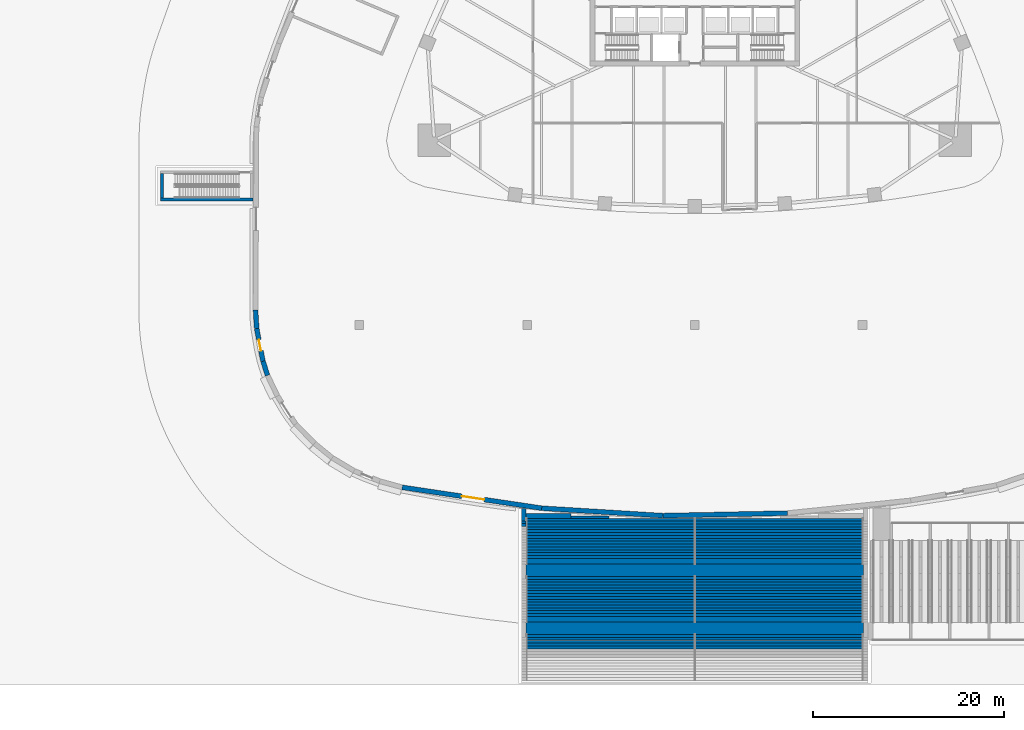
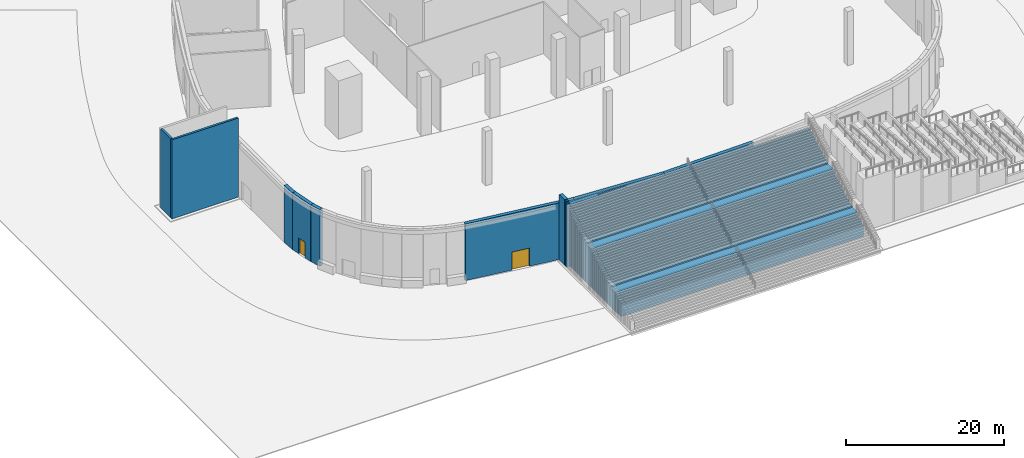
# One storey, part 5 of 29: 50 walls, 2 doors, 2 openings.
"""IFC4 building model written with IfcOpenShell, lengths in metres."""

from ifc_helpers import new_model, si_unit, direction, frame, frame_2d, origin, place, context, subcontext, project, spatial, rectangle, extrude, material, layer, layer_set, type_object, element, fill, save


model = new_model("IFC4")

# Units and contexts
model_context = context("Model", 3, precision=1e-05, world=origin(), true_north=direction((0.0, 1.0)))
body_context = subcontext(model_context, "Body", "Model", "MODEL_VIEW")
ifc_project = project(units=[si_unit("LENGTHUNIT", "METRE"), si_unit("AREAUNIT", "SQUARE_METRE"), si_unit("VOLUMEUNIT", "CUBIC_METRE"), si_unit("PLANEANGLEUNIT", "RADIAN"), si_unit("MASSUNIT", "GRAM", prefix="KILO")], contexts=[model_context])

# Site, building, storey
site_placement = place(None, origin())
site = spatial("IfcSite", under=ifc_project, at=site_placement, CompositionType="ELEMENT")
building_placement = place(site_placement, origin())
building = spatial("IfcBuilding", under=site, at=building_placement, Name="Sierra Prisma Convention Tower", CompositionType="ELEMENT")
storey_placement = place(building_placement, origin())
storey = spatial("IfcBuildingStorey", under=building, at=storey_placement, Name="L00", CompositionType="ELEMENT", Elevation=0.0)

# Walls
ifc_material_1 = material(Name="Concrete C35/45", Category="concrete")
ifc_layer_1 = layer(ifc_material_1, 0.300048828125)
ifc_layer_set_1 = layer_set([ifc_layer_1], Name="Exit stair enclosure wall 300")
wall_type_1 = type_object("IfcWallType", Name="Exit stair enclosure wall 300", PredefinedType="STANDARD", material=ifc_layer_set_1)
wall_1_placement = place(storey_placement, frame((-46.3544921875, -22.02490234375, 0.0), z_axis=(0.0, 0.0, 1.0), x_axis=(-1.0, 0.0, 0.0)))
element("IfcWall", 1, at=wall_1_placement, inside=storey, type_object=wall_type_1, Name="Exit stair west south wall", PredefinedType="STANDARD", context=body_context, shape_type="SweptSolid", body=[
    extrude(rectangle(XDim=9.72021484375, YDim=0.300048828125, at=frame_2d((4.860107421875, 0.0))), origin(), (0.0, 0.0, 1.0), 12.199951171875),
])
wall_2_placement = place(storey_placement, frame((-55.924560546875, -21.875, 0.0), z_axis=(0.0, 0.0, 1.0), x_axis=(0.0, 1.0, 0.0)))
element("IfcWall", 2, at=wall_2_placement, inside=storey, type_object=wall_type_1, Name="Exit stair west far wall", PredefinedType="STANDARD", context=body_context, shape_type="SweptSolid", body=[
    extrude(rectangle(XDim=2.550048828125, YDim=0.300048828125, at=frame_2d((1.27490234375, 0.0))), origin(), (0.0, 0.0, 1.0), 12.199951171875),
])
ifc_material_2 = material(Name="Concrete C30/37", Category="concrete")
ifc_layer_2 = layer(ifc_material_2, 1.300048828125)
ifc_layer_set_2 = layer_set([ifc_layer_2], Name="Garden steps base wall 1300")
wall_type_2 = type_object("IfcWallType", Name="Garden steps base wall 1300", PredefinedType="STANDARD", material=ifc_layer_set_2)
wall_3_placement = place(storey_placement, frame((-17.699951171875, -67.040283203125, 0.0), z_axis=(0.0, 0.0, 1.0), x_axis=(1.0, 0.0, 0.0)))
element("IfcWall", 3, at=wall_3_placement, inside=storey, type_object=wall_type_2, Name="Garden steps base wall 1", PredefinedType="STANDARD", context=body_context, shape_type="SweptSolid", body=[
    extrude(rectangle(XDim=35.39990234375, YDim=1.300048828125, at=frame_2d((17.699951171875, 0.0))), origin(), (0.0, 0.0, 1.0), 2.800048828125),
])
wall_4_placement = place(storey_placement, frame((-17.699951171875, -60.940185546875, 0.0), z_axis=(0.0, 0.0, 1.0), x_axis=(1.0, 0.0, 0.0)))
element("IfcWall", 4, at=wall_4_placement, inside=storey, type_object=wall_type_2, Name="Garden steps base wall 2", PredefinedType="STANDARD", context=body_context, shape_type="SweptSolid", body=[
    extrude(rectangle(XDim=35.39990234375, YDim=1.300048828125, at=frame_2d((17.699951171875, 0.0))), origin(), (0.0, 0.0, 1.0), 5.800048828125),
])
ifc_material_3 = material(Name="Concrete C35/45, rose plaster finish", Category="concrete")
ifc_layer_3 = layer(ifc_material_3, 0.5)
ifc_layer_set_3 = layer_set([ifc_layer_3], Name="Garden steps cheek wall 500")
wall_type_3 = type_object("IfcWallType", Name="Garden steps cheek wall 500", PredefinedType="STANDARD", material=ifc_layer_set_3)
wall_5_placement = place(storey_placement, frame((-17.949951171875, -56.33740234375, 0.0), z_axis=(0.0, 0.0, 1.0), x_axis=(0.0, 1.0, 0.0)))
element("IfcWall", 5, at=wall_5_placement, inside=storey, type_object=wall_type_3, Name="Garden steps cheek wall west 48", PredefinedType="STANDARD", context=body_context, shape_type="SweptSolid", body=[
    extrude(rectangle(XDim=0.282470703125, YDim=0.5, at=frame_2d((0.14111328125, 0.0))), origin(), (0.0, 0.0, 1.0), 9.767822265625),
])
wall_6_placement = place(storey_placement, frame((-17.949951171875, -56.054931640625, 0.0), z_axis=(0.0, 0.0, 1.0), x_axis=(0.0, 1.0, 0.0)))
element("IfcWall", 6, at=wall_6_placement, inside=storey, type_object=wall_type_3, Name="Garden steps cheek wall west 49", PredefinedType="STANDARD", context=body_context, shape_type="SweptSolid", body=[
    extrude(rectangle(XDim=0.2822265625, YDim=0.5, at=frame_2d((0.14111328125, 0.0))), origin(), (0.0, 0.0, 1.0), 9.933837890625),
])
wall_7_placement = place(storey_placement, frame((-17.949951171875, -55.772705078125, 0.0), z_axis=(0.0, 0.0, 1.0), x_axis=(0.0, 1.0, 0.0)))
element("IfcWall", 7, at=wall_7_placement, inside=storey, type_object=wall_type_3, Name="Garden steps cheek wall west 50", PredefinedType="STANDARD", context=body_context, shape_type="SweptSolid", body=[
    extrude(rectangle(XDim=1.306396484375, YDim=0.5, at=frame_2d((0.6533203125, 0.0))), origin(), (0.0, 0.0, 1.0), 10.10009765625),
])
ifc_material_4 = material(Name="Concrete C30/37", Category="concrete")
ifc_layer_4 = layer(ifc_material_4, 0.300048828125)
ifc_layer_set_4 = layer_set([ifc_layer_4], Name="Garden steps fill wall 300")
wall_type_4 = type_object("IfcWallType", Name="Garden steps fill wall 300", PredefinedType="STANDARD", material=ifc_layer_set_4)
wall_8_placement = place(storey_placement, frame((-17.699951171875, -69.04150390625, 0.0), z_axis=(0.0, 0.0, 1.0), x_axis=(1.0, 0.0, 0.0)))
element("IfcWall", 8, at=wall_8_placement, inside=storey, type_object=wall_type_4, Name="Garden steps fill wall 1 10", PredefinedType="STANDARD", context=body_context, shape_type="SweptSolid", body=[
    extrude(rectangle(XDim=35.39990234375, YDim=0.300048828125, at=frame_2d((17.699951171875, 0.0))), origin(), (0.0, 0.0, 1.0), 1.766357421875),
])
wall_9_placement = place(storey_placement, frame((-17.699951171875, -68.7412109375, 0.0), z_axis=(0.0, 0.0, 1.0), x_axis=(1.0, 0.0, 0.0)))
element("IfcWall", 9, at=wall_9_placement, inside=storey, type_object=wall_type_4, Name="Garden steps fill wall 1 11", PredefinedType="STANDARD", context=body_context, shape_type="SweptSolid", body=[
    extrude(rectangle(XDim=35.39990234375, YDim=0.300048828125, at=frame_2d((17.699951171875, 0.0))), origin(), (0.0, 0.0, 1.0), 1.943115234375),
])
wall_10_placement = place(storey_placement, frame((-17.699951171875, -68.44091796875, 0.0), z_axis=(0.0, 0.0, 1.0), x_axis=(1.0, 0.0, 0.0)))
element("IfcWall", 10, at=wall_10_placement, inside=storey, type_object=wall_type_4, Name="Garden steps fill wall 1 12", PredefinedType="STANDARD", context=body_context, shape_type="SweptSolid", body=[
    extrude(rectangle(XDim=35.39990234375, YDim=0.300048828125, at=frame_2d((17.699951171875, 0.0))), origin(), (0.0, 0.0, 1.0), 2.11962890625),
])
wall_11_placement = place(storey_placement, frame((-17.699951171875, -68.140625, 0.0), z_axis=(0.0, 0.0, 1.0), x_axis=(1.0, 0.0, 0.0)))
element("IfcWall", 11, at=wall_11_placement, inside=storey, type_object=wall_type_4, Name="Garden steps fill wall 1 13", PredefinedType="STANDARD", context=body_context, shape_type="SweptSolid", body=[
    extrude(rectangle(XDim=35.39990234375, YDim=0.300048828125, at=frame_2d((17.699951171875, 0.0))), origin(), (0.0, 0.0, 1.0), 2.296142578125),
])
wall_12_placement = place(storey_placement, frame((-17.699951171875, -67.84033203125, 0.0), z_axis=(0.0, 0.0, 1.0), x_axis=(1.0, 0.0, 0.0)))
element("IfcWall", 12, at=wall_12_placement, inside=storey, type_object=wall_type_4, Name="Garden steps fill wall 1 14", PredefinedType="STANDARD", context=body_context, shape_type="SweptSolid", body=[
    extrude(rectangle(XDim=35.39990234375, YDim=0.300048828125, at=frame_2d((17.699951171875, 0.0))), origin(), (0.0, 0.0, 1.0), 2.472900390625),
])
wall_13_placement = place(storey_placement, frame((-17.699951171875, -65.64404296875, 0.0), z_axis=(0.0, 0.0, 1.0), x_axis=(1.0, 0.0, 0.0)))
element("IfcWall", 13, at=wall_13_placement, inside=storey, type_object=wall_type_4, Name="Garden steps fill wall 2 2", PredefinedType="STANDARD", context=body_context, shape_type="SweptSolid", body=[
    extrude(rectangle(XDim=35.39990234375, YDim=0.300048828125, at=frame_2d((17.699951171875, 0.0))), origin(), (0.0, 0.0, 1.0), 3.176513671875),
])
wall_14_placement = place(storey_placement, frame((-17.699951171875, -65.34375, 0.0), z_axis=(0.0, 0.0, 1.0), x_axis=(1.0, 0.0, 0.0)))
element("IfcWall", 14, at=wall_14_placement, inside=storey, type_object=wall_type_4, Name="Garden steps fill wall 2 3", PredefinedType="STANDARD", context=body_context, shape_type="SweptSolid", body=[
    extrude(rectangle(XDim=35.39990234375, YDim=0.300048828125, at=frame_2d((17.699951171875, 0.0))), origin(), (0.0, 0.0, 1.0), 3.353271484375),
])
wall_15_placement = place(storey_placement, frame((-17.699951171875, -65.04345703125, 0.0), z_axis=(0.0, 0.0, 1.0), x_axis=(1.0, 0.0, 0.0)))
element("IfcWall", 15, at=wall_15_placement, inside=storey, type_object=wall_type_4, Name="Garden steps fill wall 2 4", PredefinedType="STANDARD", context=body_context, shape_type="SweptSolid", body=[
    extrude(rectangle(XDim=35.39990234375, YDim=0.300048828125, at=frame_2d((17.699951171875, 0.0))), origin(), (0.0, 0.0, 1.0), 3.52978515625),
])
wall_16_placement = place(storey_placement, frame((-17.699951171875, -64.7431640625, 0.0), z_axis=(0.0, 0.0, 1.0), x_axis=(1.0, 0.0, 0.0)))
element("IfcWall", 16, at=wall_16_placement, inside=storey, type_object=wall_type_4, Name="Garden steps fill wall 2 5", PredefinedType="STANDARD", context=body_context, shape_type="SweptSolid", body=[
    extrude(rectangle(XDim=35.39990234375, YDim=0.300048828125, at=frame_2d((17.699951171875, 0.0))), origin(), (0.0, 0.0, 1.0), 3.70654296875),
])
wall_17_placement = place(storey_placement, frame((-17.699951171875, -64.44287109375, 0.0), z_axis=(0.0, 0.0, 1.0), x_axis=(1.0, 0.0, 0.0)))
element("IfcWall", 17, at=wall_17_placement, inside=storey, type_object=wall_type_4, Name="Garden steps fill wall 2 6", PredefinedType="STANDARD", context=body_context, shape_type="SweptSolid", body=[
    extrude(rectangle(XDim=35.39990234375, YDim=0.300048828125, at=frame_2d((17.699951171875, 0.0))), origin(), (0.0, 0.0, 1.0), 3.88330078125),
])
wall_18_placement = place(storey_placement, frame((-17.699951171875, -64.142578125, 0.0), z_axis=(0.0, 0.0, 1.0), x_axis=(1.0, 0.0, 0.0)))
element("IfcWall", 18, at=wall_18_placement, inside=storey, type_object=wall_type_4, Name="Garden steps fill wall 2 7", PredefinedType="STANDARD", context=body_context, shape_type="SweptSolid", body=[
    extrude(rectangle(XDim=35.39990234375, YDim=0.300048828125, at=frame_2d((17.699951171875, 0.0))), origin(), (0.0, 0.0, 1.0), 4.059814453125),
])
wall_19_placement = place(storey_placement, frame((-17.699951171875, -63.84228515625, 0.0), z_axis=(0.0, 0.0, 1.0), x_axis=(1.0, 0.0, 0.0)))
element("IfcWall", 19, at=wall_19_placement, inside=storey, type_object=wall_type_4, Name="Garden steps fill wall 2 8", PredefinedType="STANDARD", context=body_context, shape_type="SweptSolid", body=[
    extrude(rectangle(XDim=35.39990234375, YDim=0.300048828125, at=frame_2d((17.699951171875, 0.0))), origin(), (0.0, 0.0, 1.0), 4.236328125),
])
wall_20_placement = place(storey_placement, frame((-17.699951171875, -63.5419921875, 0.0), z_axis=(0.0, 0.0, 1.0), x_axis=(1.0, 0.0, 0.0)))
element("IfcWall", 20, at=wall_20_placement, inside=storey, type_object=wall_type_4, Name="Garden steps fill wall 2 9", PredefinedType="STANDARD", context=body_context, shape_type="SweptSolid", body=[
    extrude(rectangle(XDim=35.39990234375, YDim=0.300048828125, at=frame_2d((17.699951171875, 0.0))), origin(), (0.0, 0.0, 1.0), 4.4130859375),
])
wall_21_placement = place(storey_placement, frame((-17.699951171875, -63.24169921875, 0.0), z_axis=(0.0, 0.0, 1.0), x_axis=(1.0, 0.0, 0.0)))
element("IfcWall", 21, at=wall_21_placement, inside=storey, type_object=wall_type_4, Name="Garden steps fill wall 2 10", PredefinedType="STANDARD", context=body_context, shape_type="SweptSolid", body=[
    extrude(rectangle(XDim=35.39990234375, YDim=0.300048828125, at=frame_2d((17.699951171875, 0.0))), origin(), (0.0, 0.0, 1.0), 4.589599609375),
])
wall_22_placement = place(storey_placement, frame((-17.699951171875, -62.94140625, 0.0), z_axis=(0.0, 0.0, 1.0), x_axis=(1.0, 0.0, 0.0)))
element("IfcWall", 22, at=wall_22_placement, inside=storey, type_object=wall_type_4, Name="Garden steps fill wall 2 11", PredefinedType="STANDARD", context=body_context, shape_type="SweptSolid", body=[
    extrude(rectangle(XDim=35.39990234375, YDim=0.300048828125, at=frame_2d((17.699951171875, 0.0))), origin(), (0.0, 0.0, 1.0), 4.766357421875),
])
wall_23_placement = place(storey_placement, frame((-17.699951171875, -62.64111328125, 0.0), z_axis=(0.0, 0.0, 1.0), x_axis=(1.0, 0.0, 0.0)))
element("IfcWall", 23, at=wall_23_placement, inside=storey, type_object=wall_type_4, Name="Garden steps fill wall 2 12", PredefinedType="STANDARD", context=body_context, shape_type="SweptSolid", body=[
    extrude(rectangle(XDim=35.39990234375, YDim=0.300048828125, at=frame_2d((17.699951171875, 0.0))), origin(), (0.0, 0.0, 1.0), 4.943115234375),
])
wall_24_placement = place(storey_placement, frame((-17.699951171875, -62.3408203125, 0.0), z_axis=(0.0, 0.0, 1.0), x_axis=(1.0, 0.0, 0.0)))
element("IfcWall", 24, at=wall_24_placement, inside=storey, type_object=wall_type_4, Name="Garden steps fill wall 2 13", PredefinedType="STANDARD", context=body_context, shape_type="SweptSolid", body=[
    extrude(rectangle(XDim=35.39990234375, YDim=0.300048828125, at=frame_2d((17.699951171875, 0.0))), origin(), (0.0, 0.0, 1.0), 5.11962890625),
])
wall_25_placement = place(storey_placement, frame((-17.699951171875, -62.040771484375, 0.0), z_axis=(0.0, 0.0, 1.0), x_axis=(1.0, 0.0, 0.0)))
element("IfcWall", 25, at=wall_25_placement, inside=storey, type_object=wall_type_4, Name="Garden steps fill wall 2 14", PredefinedType="STANDARD", context=body_context, shape_type="SweptSolid", body=[
    extrude(rectangle(XDim=35.39990234375, YDim=0.300048828125, at=frame_2d((17.699951171875, 0.0))), origin(), (0.0, 0.0, 1.0), 5.296142578125),
])
wall_26_placement = place(storey_placement, frame((-17.699951171875, -61.740478515625, 0.0), z_axis=(0.0, 0.0, 1.0), x_axis=(1.0, 0.0, 0.0)))
element("IfcWall", 26, at=wall_26_placement, inside=storey, type_object=wall_type_4, Name="Garden steps fill wall 2 15", PredefinedType="STANDARD", context=body_context, shape_type="SweptSolid", body=[
    extrude(rectangle(XDim=35.39990234375, YDim=0.300048828125, at=frame_2d((17.699951171875, 0.0))), origin(), (0.0, 0.0, 1.0), 5.472900390625),
])
wall_27_placement = place(storey_placement, frame((-17.699951171875, -59.5439453125, 0.0), z_axis=(0.0, 0.0, 1.0), x_axis=(1.0, 0.0, 0.0)))
element("IfcWall", 27, at=wall_27_placement, inside=storey, type_object=wall_type_4, Name="Garden steps fill wall 3 2", PredefinedType="STANDARD", context=body_context, shape_type="SweptSolid", body=[
    extrude(rectangle(XDim=35.39990234375, YDim=0.300048828125, at=frame_2d((17.699951171875, 0.0))), origin(), (0.0, 0.0, 1.0), 6.176513671875),
])
wall_28_placement = place(storey_placement, frame((-17.699951171875, -59.24365234375, 0.0), z_axis=(0.0, 0.0, 1.0), x_axis=(1.0, 0.0, 0.0)))
element("IfcWall", 28, at=wall_28_placement, inside=storey, type_object=wall_type_4, Name="Garden steps fill wall 3 3", PredefinedType="STANDARD", context=body_context, shape_type="SweptSolid", body=[
    extrude(rectangle(XDim=35.39990234375, YDim=0.300048828125, at=frame_2d((17.699951171875, 0.0))), origin(), (0.0, 0.0, 1.0), 6.353271484375),
])
wall_29_placement = place(storey_placement, frame((-17.699951171875, -58.943359375, 0.0), z_axis=(0.0, 0.0, 1.0), x_axis=(1.0, 0.0, 0.0)))
element("IfcWall", 29, at=wall_29_placement, inside=storey, type_object=wall_type_4, Name="Garden steps fill wall 3 4", PredefinedType="STANDARD", context=body_context, shape_type="SweptSolid", body=[
    extrude(rectangle(XDim=35.39990234375, YDim=0.300048828125, at=frame_2d((17.699951171875, 0.0))), origin(), (0.0, 0.0, 1.0), 6.52978515625),
])
wall_30_placement = place(storey_placement, frame((-17.699951171875, -58.64306640625, 0.0), z_axis=(0.0, 0.0, 1.0), x_axis=(1.0, 0.0, 0.0)))
element("IfcWall", 30, at=wall_30_placement, inside=storey, type_object=wall_type_4, Name="Garden steps fill wall 3 5", PredefinedType="STANDARD", context=body_context, shape_type="SweptSolid", body=[
    extrude(rectangle(XDim=35.39990234375, YDim=0.300048828125, at=frame_2d((17.699951171875, 0.0))), origin(), (0.0, 0.0, 1.0), 6.70654296875),
])
wall_31_placement = place(storey_placement, frame((-17.699951171875, -58.343017578125, 0.0), z_axis=(0.0, 0.0, 1.0), x_axis=(1.0, 0.0, 0.0)))
element("IfcWall", 31, at=wall_31_placement, inside=storey, type_object=wall_type_4, Name="Garden steps fill wall 3 6", PredefinedType="STANDARD", context=body_context, shape_type="SweptSolid", body=[
    extrude(rectangle(XDim=35.39990234375, YDim=0.300048828125, at=frame_2d((17.699951171875, 0.0))), origin(), (0.0, 0.0, 1.0), 6.88330078125),
])
wall_32_placement = place(storey_placement, frame((-17.699951171875, -58.04248046875, 0.0), z_axis=(0.0, 0.0, 1.0), x_axis=(1.0, 0.0, 0.0)))
element("IfcWall", 32, at=wall_32_placement, inside=storey, type_object=wall_type_4, Name="Garden steps fill wall 3 7", PredefinedType="STANDARD", context=body_context, shape_type="SweptSolid", body=[
    extrude(rectangle(XDim=35.39990234375, YDim=0.300048828125, at=frame_2d((17.699951171875, 0.0))), origin(), (0.0, 0.0, 1.0), 7.059814453125),
])
wall_33_placement = place(storey_placement, frame((-17.699951171875, -57.7421875, 0.0), z_axis=(0.0, 0.0, 1.0), x_axis=(1.0, 0.0, 0.0)))
element("IfcWall", 33, at=wall_33_placement, inside=storey, type_object=wall_type_4, Name="Garden steps fill wall 3 8", PredefinedType="STANDARD", context=body_context, shape_type="SweptSolid", body=[
    extrude(rectangle(XDim=35.39990234375, YDim=0.300048828125, at=frame_2d((17.699951171875, 0.0))), origin(), (0.0, 0.0, 1.0), 7.236328125),
])
wall_34_placement = place(storey_placement, frame((-17.699951171875, -57.44189453125, 0.0), z_axis=(0.0, 0.0, 1.0), x_axis=(1.0, 0.0, 0.0)))
element("IfcWall", 34, at=wall_34_placement, inside=storey, type_object=wall_type_4, Name="Garden steps fill wall 3 9", PredefinedType="STANDARD", context=body_context, shape_type="SweptSolid", body=[
    extrude(rectangle(XDim=35.39990234375, YDim=0.300048828125, at=frame_2d((17.699951171875, 0.0))), origin(), (0.0, 0.0, 1.0), 7.4130859375),
])
wall_35_placement = place(storey_placement, frame((-17.699951171875, -57.141845703125, 0.0), z_axis=(0.0, 0.0, 1.0), x_axis=(1.0, 0.0, 0.0)))
element("IfcWall", 35, at=wall_35_placement, inside=storey, type_object=wall_type_4, Name="Garden steps fill wall 3 10", PredefinedType="STANDARD", context=body_context, shape_type="SweptSolid", body=[
    extrude(rectangle(XDim=35.39990234375, YDim=0.300048828125, at=frame_2d((17.699951171875, 0.0))), origin(), (0.0, 0.0, 1.0), 7.589599609375),
])
wall_36_placement = place(storey_placement, frame((-17.699951171875, -56.841552734375, 0.0), z_axis=(0.0, 0.0, 1.0), x_axis=(1.0, 0.0, 0.0)))
element("IfcWall", 36, at=wall_36_placement, inside=storey, type_object=wall_type_4, Name="Garden steps fill wall 3 11", PredefinedType="STANDARD", context=body_context, shape_type="SweptSolid", body=[
    extrude(rectangle(XDim=35.39990234375, YDim=0.300048828125, at=frame_2d((17.699951171875, 0.0))), origin(), (0.0, 0.0, 1.0), 7.766357421875),
])
wall_37_placement = place(storey_placement, frame((-17.699951171875, -56.541259765625, 0.0), z_axis=(0.0, 0.0, 1.0), x_axis=(1.0, 0.0, 0.0)))
element("IfcWall", 37, at=wall_37_placement, inside=storey, type_object=wall_type_4, Name="Garden steps fill wall 3 12", PredefinedType="STANDARD", context=body_context, shape_type="SweptSolid", body=[
    extrude(rectangle(XDim=35.39990234375, YDim=0.300048828125, at=frame_2d((17.699951171875, 0.0))), origin(), (0.0, 0.0, 1.0), 7.943115234375),
])
wall_38_placement = place(storey_placement, frame((-17.699951171875, -56.240966796875, 0.0), z_axis=(0.0, 0.0, 1.0), x_axis=(1.0, 0.0, 0.0)))
element("IfcWall", 38, at=wall_38_placement, inside=storey, type_object=wall_type_4, Name="Garden steps fill wall 3 13", PredefinedType="STANDARD", context=body_context, shape_type="SweptSolid", body=[
    extrude(rectangle(XDim=35.39990234375, YDim=0.300048828125, at=frame_2d((17.699951171875, 0.0))), origin(), (0.0, 0.0, 1.0), 8.11962890625),
])
wall_39_placement = place(storey_placement, frame((-17.699951171875, -55.940673828125, 0.0), z_axis=(0.0, 0.0, 1.0), x_axis=(1.0, 0.0, 0.0)))
element("IfcWall", 39, at=wall_39_placement, inside=storey, type_object=wall_type_4, Name="Garden steps fill wall 3 14", PredefinedType="STANDARD", context=body_context, shape_type="SweptSolid", body=[
    extrude(rectangle(XDim=35.39990234375, YDim=0.300048828125, at=frame_2d((17.699951171875, 0.0))), origin(), (0.0, 0.0, 1.0), 8.296142578125),
])
wall_40_placement = place(storey_placement, frame((-17.699951171875, -55.640380859375, 0.0), z_axis=(0.0, 0.0, 1.0), x_axis=(1.0, 0.0, 0.0)))
element("IfcWall", 40, at=wall_40_placement, inside=storey, type_object=wall_type_4, Name="Garden steps fill wall 3 15", PredefinedType="STANDARD", context=body_context, shape_type="SweptSolid", body=[
    extrude(rectangle(XDim=35.39990234375, YDim=0.300048828125, at=frame_2d((17.699951171875, 0.0))), origin(), (0.0, 0.0, 1.0), 8.472900390625),
])
ifc_material_5 = material(Name="Concrete C30/37", Category="concrete")
ifc_layer_5 = layer(ifc_material_5, 0.595947265625)
ifc_layer_set_5 = layer_set([ifc_layer_5], Name="Garden steps fill wall 596")
wall_type_5 = type_object("IfcWallType", Name="Garden steps fill wall 596", PredefinedType="STANDARD", material=ifc_layer_set_5)
wall_41_placement = place(storey_placement, frame((-17.699951171875, -66.09228515625, 0.0), z_axis=(0.0, 0.0, 1.0), x_axis=(1.0, 0.0, 0.0)))
element("IfcWall", 41, at=wall_41_placement, inside=storey, type_object=wall_type_5, Name="Garden steps fill wall 2 1", PredefinedType="STANDARD", context=body_context, shape_type="SweptSolid", body=[
    extrude(rectangle(XDim=35.39990234375, YDim=0.595947265625, at=frame_2d((17.699951171875, 0.0))), origin(), (0.0, 0.0, 1.0), 3.0),
])
wall_42_placement = place(storey_placement, frame((-17.699951171875, -59.9921875, 0.0), z_axis=(0.0, 0.0, 1.0), x_axis=(1.0, 0.0, 0.0)))
element("IfcWall", 42, at=wall_42_placement, inside=storey, type_object=wall_type_5, Name="Garden steps fill wall 3 1", PredefinedType="STANDARD", context=body_context, shape_type="SweptSolid", body=[
    extrude(rectangle(XDim=35.39990234375, YDim=0.595947265625, at=frame_2d((17.699951171875, 0.0))), origin(), (0.0, 0.0, 1.0), 6.0),
])
ifc_material_6 = material(Name="Concrete C30/37", Category="concrete")
ifc_layer_6 = layer(ifc_material_6, 0.238037109375)
ifc_layer_set_6 = layer_set([ifc_layer_6], Name="Garden steps head support 238")
wall_type_6 = type_object("IfcWallType", Name="Garden steps head support 238", PredefinedType="STANDARD", material=ifc_layer_set_6)
wall_43_placement = place(storey_placement, frame((-9.0, -55.37109375, 0.0), z_axis=(0.0, 0.0, 1.0), x_axis=(-1.0, 0.0, 0.0)))
element("IfcWall", 43, at=wall_43_placement, inside=storey, type_object=wall_type_6, Name="Garden steps head support wall", PredefinedType="STANDARD", context=body_context, shape_type="SweptSolid", body=[
    extrude(rectangle(XDim=4.0, YDim=0.238037109375, at=frame_2d((2.0, 0.0))), origin(), (0.0, 0.0, 1.0), 8.800048828125),
])
ifc_material_7 = material(Name="Concrete C30/37", Category="concrete")
ifc_layer_7 = layer(ifc_material_7, 0.514892578125)
ifc_layer_set_7 = layer_set([ifc_layer_7], Name="Garden steps head support 515")
wall_type_7 = type_object("IfcWallType", Name="Garden steps head support 515", PredefinedType="STANDARD", material=ifc_layer_set_7)
wall_44_placement = place(storey_placement, frame((-13.0, -55.232666015625, 0.0), z_axis=(0.0, 0.0, 1.0), x_axis=(-1.0, 0.0, 0.0)))
element("IfcWall", 44, at=wall_44_placement, inside=storey, type_object=wall_type_7, Name="Garden steps head support wall", PredefinedType="STANDARD", context=body_context, shape_type="SweptSolid", body=[
    extrude(rectangle(XDim=4.699951171875, YDim=0.514892578125, at=frame_2d((2.35009765625, 0.0))), origin(), (0.0, 0.0, 1.0), 8.800048828125),
])

# Wall, opening, door
ifc_material_8 = material(Name="Concrete C40/50, ochre plaster finish", Category="concrete")
ifc_layer_8 = layer(ifc_material_8, 0.5)
ifc_layer_set_8 = layer_set([ifc_layer_8], Name="Ochre plastered wall 500")
wall_type_8 = type_object("IfcWallType", Name="Ochre plastered wall 500", PredefinedType="STANDARD", material=ifc_layer_set_8)
wall_45_placement = place(storey_placement, frame((-16.0654296875, -54.4326171875, 0.0), z_axis=(0.0, 0.0, 1.0), x_axis=(-0.988992127262, 0.147968145944, 0.0)))
wall_45 = element("IfcWall", 45, at=wall_45_placement, inside=storey, type_object=wall_type_8, Name="Plinth wall 8", PredefinedType="STANDARD", context=body_context, shape_type="SweptSolid", body=[
    extrude(rectangle(XDim=14.81494140625, YDim=0.5, at=frame_2d((7.407470703125, 0.0))), origin(), (0.0, 0.0, 1.0), 8.75),
])
opening_1_placement = place(wall_45_placement, frame((6.10009765625, 0.0, 0.0)))
opening_1 = element("IfcOpeningElement", 46, at=opening_1_placement, cuts=wall_45, Name="Opening L00-D041", PredefinedType="OPENING", context=body_context, shape_type="SweptSolid", body=[
    extrude(rectangle(XDim=2.39990234375, YDim=2.800048828125, at=frame_2d((1.199951171875, 1.39990234375))), frame((0.0, 0.25, 0.0), z_axis=(0.0, -1.0, 0.0), x_axis=(1.0, 0.0, 0.0)), (0.0, 0.0, 1.0), 0.5),
])
ifc_material_9 = material(Name="Glass and bronze aluminium", Category="aluminium")
door_type_1 = type_object("IfcDoorType", Name="Entrance door double 2400 x 2800", OperationType="DOUBLE_DOOR_SINGLE_SWING", PredefinedType="DOOR", material=ifc_material_9)
door_1_placement = place(opening_1_placement, origin())
door_1 = element("IfcDoor", 47, at=door_1_placement, inside=storey, type_object=door_type_1, Name="Pedestrian exit door at the entrance", OperationType="DOUBLE_DOOR_SINGLE_SWING", OverallHeight=2.800048828125, OverallWidth=2.39990234375, PredefinedType="DOOR", context=body_context, shape_type="SweptSolid", body=[
    extrude(rectangle(XDim=2.39990234375, YDim=2.800048828125, at=frame_2d((1.199951171875, 1.39990234375))), frame((0.0, 0.02490234375, 0.0), z_axis=(0.0, -1.0, 0.0), x_axis=(1.0, 0.0, 0.0)), (0.0, 0.0, 1.0), 0.050048828125),
])
fill(opening_1, door_1)

# Walls
wall_46_placement = place(storey_placement, frame((9.74755859375, -54.94921875, 0.0), z_axis=(0.0, 0.0, 1.0), x_axis=(-0.999796199121, -0.020188120853, 0.0)))
element("IfcWall", 48, at=wall_46_placement, inside=storey, type_object=wall_type_8, Name="Plinth wall 10", PredefinedType="STANDARD", context=body_context, shape_type="SweptSolid", body=[
    extrude(rectangle(XDim=13.109130859375, YDim=0.5, at=frame_2d((6.5546875, 0.0))), origin(), (0.0, 0.0, 1.0), 8.75),
])
wall_47_placement = place(storey_placement, frame((-45.984619140625, -35.56787109375, 0.0), z_axis=(0.0, 0.0, 1.0), x_axis=(-0.061659003682, 0.998097273448, 0.0)))
element("IfcWall", 49, at=wall_47_placement, inside=storey, type_object=wall_type_8, Name="Plinth wall 48", PredefinedType="STANDARD", context=body_context, shape_type="SweptSolid", body=[
    extrude(rectangle(XDim=1.944091796875, YDim=0.5, at=frame_2d((0.97216796875, 0.0))), origin(), (0.0, 0.0, 1.0), 8.75),
])
wall_48_placement = place(storey_placement, frame((-44.84619140625, -40.48828125, 0.0), z_axis=(0.0, 0.0, 1.0), x_axis=(-0.30800353253, 0.951385213228, 0.0)))
element("IfcWall", 50, at=wall_48_placement, inside=storey, type_object=wall_type_8, Name="Plinth wall 50", PredefinedType="STANDARD", context=body_context, shape_type="SweptSolid", body=[
    extrude(rectangle(XDim=1.560791015625, YDim=0.5, at=frame_2d((0.7802734375, 0.0))), origin(), (0.0, 0.0, 1.0), 8.75),
])
ifc_material_10 = material(Name="Concrete C40/50, rose plaster finish", Category="concrete")
ifc_layer_9 = layer(ifc_material_10, 0.5)
ifc_layer_set_9 = layer_set([ifc_layer_9], Name="Rose plastered wall 500")
wall_type_9 = type_object("IfcWallType", Name="Rose plastered wall 500", PredefinedType="STANDARD", material=ifc_layer_set_9)
wall_49_placement = place(storey_placement, frame((-3.35888671875, -55.2138671875, 0.0), z_axis=(0.0, 0.0, 1.0), x_axis=(-0.998115196607, 0.061368186396, 0.0)))
element("IfcWall", 51, at=wall_49_placement, inside=storey, type_object=wall_type_9, Name="Plinth wall 9", PredefinedType="STANDARD", context=body_context, shape_type="SweptSolid", body=[
    extrude(rectangle(XDim=12.73046875, YDim=0.5, at=frame_2d((6.365234375, 0.0))), origin(), (0.0, 0.0, 1.0), 8.75),
])

# Wall, opening, door
wall_50_placement = place(storey_placement, frame((-45.326904296875, -39.00341796875, 0.0), z_axis=(0.0, 0.0, 1.0), x_axis=(-0.188029296036, 0.982163420125, 0.0)))
wall_50 = element("IfcWall", 52, at=wall_50_placement, inside=storey, type_object=wall_type_9, Name="Plinth wall 49", PredefinedType="STANDARD", context=body_context, shape_type="SweptSolid", body=[
    extrude(rectangle(XDim=3.498046875, YDim=0.5, at=frame_2d((1.7490234375, 0.0))), origin(), (0.0, 0.0, 1.0), 8.75),
])
opening_2_placement = place(wall_50_placement, frame((1.10009765625, 0.0, 0.0)))
opening_2 = element("IfcOpeningElement", 53, at=opening_2_placement, cuts=wall_50, Name="Opening L00-D065", PredefinedType="OPENING", context=body_context, shape_type="SweptSolid", body=[
    extrude(rectangle(XDim=1.199951171875, YDim=2.39990234375, at=frame_2d((0.60009765625, 1.199951171875))), frame((0.0, 0.25, 0.0), z_axis=(0.0, -1.0, 0.0), x_axis=(1.0, 0.0, 0.0)), (0.0, 0.0, 1.0), 0.5),
])
ifc_material_11 = material(Name="Painted steel, fire resisting", Category="steel")
door_type_2 = type_object("IfcDoorType", Name="Pedestrian exit door 1200 x 2400", OperationType="SINGLE_SWING_LEFT", PredefinedType="DOOR", material=ifc_material_11)
door_2_placement = place(opening_2_placement, origin())
door_2 = element("IfcDoor", 54, at=door_2_placement, inside=storey, type_object=door_type_2, Name="Pedestrian exit door", OperationType="SINGLE_SWING_RIGHT", OverallHeight=2.39990234375, OverallWidth=1.199951171875, PredefinedType="DOOR", context=body_context, shape_type="SweptSolid", body=[
    extrude(rectangle(XDim=1.199951171875, YDim=2.39990234375, at=frame_2d((0.60009765625, 1.199951171875))), frame((0.0, 0.02490234375, 0.0), z_axis=(0.0, -1.0, 0.0), x_axis=(1.0, 0.0, 0.0)), (0.0, 0.0, 1.0), 0.050048828125),
])
fill(opening_2, door_2)

save(model, "model.ifc")
